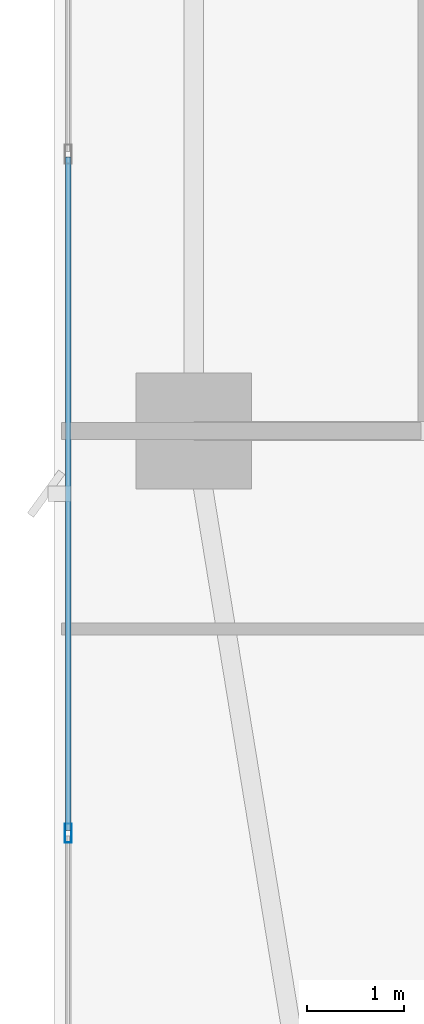
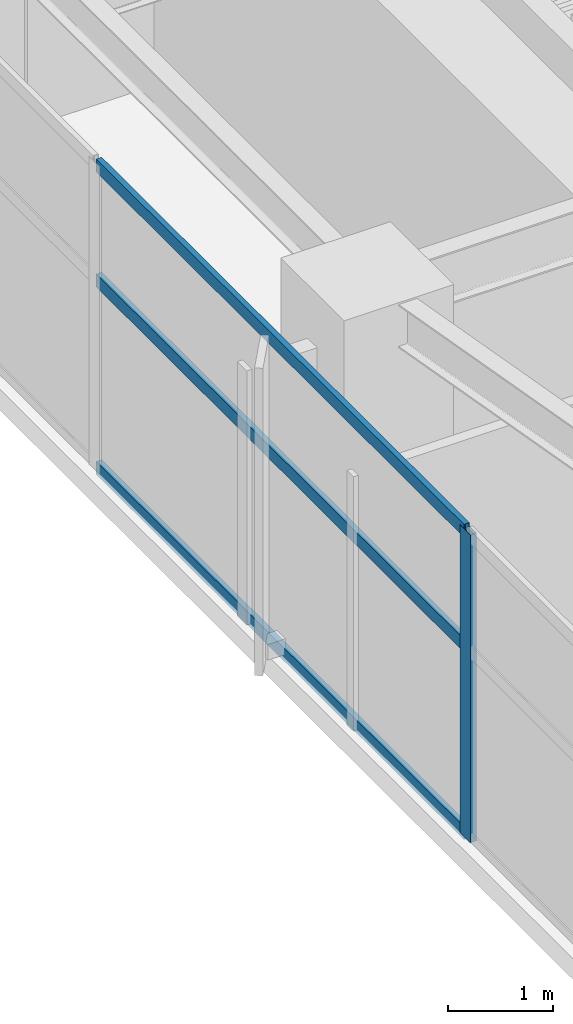
# One storey, part 4 of 28: 4 members, 1 element without a shape of its own.
"""IFC4 building model written with IfcOpenShell, lengths in metres."""

from ifc_helpers import new_model, si_unit, direction, frame, origin, origin_2d, place, context, subcontext, project, spatial, hollow_rectangle, extrude, material, layer, layer_set, material_profile, profile_set, type_object, element, aggregate, save


model = new_model("IFC4")

# Units and contexts
model_context = context("Model", 3, precision=1e-05, world=origin(), true_north=direction((0.0, 1.0)))
body_context = subcontext(model_context, "Body", "Model", "MODEL_VIEW")
ifc_project = project(units=[si_unit("LENGTHUNIT", "METRE"), si_unit("AREAUNIT", "SQUARE_METRE"), si_unit("VOLUMEUNIT", "CUBIC_METRE"), si_unit("PLANEANGLEUNIT", "RADIAN"), si_unit("MASSUNIT", "GRAM", prefix="KILO")], contexts=[model_context])

# Site, building, storey
site_placement = place(None, origin())
site = spatial("IfcSite", under=ifc_project, at=site_placement, CompositionType="ELEMENT")
building_placement = place(site_placement, origin())
building = spatial("IfcBuilding", under=site, at=building_placement, Name="Calvorn Quay Hotel", CompositionType="ELEMENT")
storey_placement = place(building_placement, frame((0.0, 0.0, 159.89990234375)))
storey = spatial("IfcBuildingStorey", under=building, at=storey_placement, Name="L39", CompositionType="ELEMENT", Elevation=159.89990234375)

# Curtain wall, members
ifc_material_1 = material(Name="Pale Anodised Aluminium and Low-E Glass", Category="aluminium")
ifc_layer = layer(ifc_material_1, 0.219970703125)
ifc_layer_set = layer_set([ifc_layer], Name="CW-SYS-Z2")
curtain_wall_type = type_object("IfcCurtainWallType", Name="CW-SYS-Z2", PredefinedType="NOTDEFINED", material=ifc_layer_set)
curtain_wall_placement = place(storey_placement, origin())
curtain_wall = element("IfcCurtainWall", 1, at=curtain_wall_placement, inside=storey, type_object=curtain_wall_type, Name="Tower West Curtain Wall (L39)", PredefinedType="NOTDEFINED")
ifc_material_2 = material(Name="Pale Anodised Aluminium 6063-T6", Category="aluminium")
ifc_material_profile_1 = material_profile(ifc_material_2, hollow_rectangle(XDim=0.070068359375, YDim=0.199951171875, WallThickness=0.00390625, at=origin_2d()), Name="ALU-M200x70x4")
ifc_profile_set_1 = profile_set([ifc_material_profile_1], Name="Pale Anodised Aluminium 6063-T6")
member_type_1 = type_object("IfcMemberType", Name="CW-SYS-Z2-MUL", PredefinedType="MULLION", material=ifc_profile_set_1)
member_1_placement = place(storey_placement, frame((0.14990234375, 12.63330078125, 0.0), z_axis=(0.0, 0.0, 1.0), x_axis=(-1.0, 0.0, 0.0)))
member_1 = element("IfcMember", 2, at=member_1_placement, type_object=member_type_1, Name="CW-L39-W mullion 2", PredefinedType="MULLION", context=body_context, shape_type="SweptSolid", body=[
    extrude(hollow_rectangle(XDim=0.070068359375, YDim=0.199951171875, WallThickness=0.00390625, at=origin_2d()), origin(), (0.0, 0.0, 1.0), 3.56005859375),
])
ifc_material_3 = material(Name="Pale Anodised Aluminium 6063-T6", Category="aluminium")
ifc_material_profile_2 = material_profile(ifc_material_3, hollow_rectangle(XDim=0.06005859375, YDim=0.14990234375, WallThickness=0.00341796875, at=origin_2d()), Name="ALU-T150x60x3.5")
ifc_profile_set_2 = profile_set([ifc_material_profile_2], Name="Pale Anodised Aluminium 6063-T6")
member_type_2 = type_object("IfcMemberType", Name="CW-SYS-Z2-TRN", PredefinedType="USERDEFINED", material=ifc_profile_set_2)
member_2_placement = place(storey_placement, frame((0.14990234375, 12.663330078125, 0.030029296875), z_axis=(0.0, 1.0, 0.0), x_axis=(-1.0, 0.0, 0.0)))
member_2 = element("IfcMember", 3, at=member_2_placement, type_object=member_type_2, Name="CW-L39-W transom 2.1", ObjectType="TRANSOM", PredefinedType="USERDEFINED", context=body_context, shape_type="SweptSolid", body=[
    extrude(hollow_rectangle(XDim=0.06005859375, YDim=0.14990234375, WallThickness=0.00341796875, at=origin_2d()), origin(), (0.0, 0.0, 1.0), 6.973388671875),
])
member_3_placement = place(storey_placement, frame((0.14990234375, 12.663330078125, 2.2001953125), z_axis=(0.0, 1.0, 0.0), x_axis=(-1.0, 0.0, 0.0)))
member_3 = element("IfcMember", 4, at=member_3_placement, type_object=member_type_2, Name="CW-L39-W transom 2.2", ObjectType="TRANSOM", PredefinedType="USERDEFINED", context=body_context, shape_type="SweptSolid", body=[
    extrude(hollow_rectangle(XDim=0.06005859375, YDim=0.14990234375, WallThickness=0.00341796875, at=origin_2d()), origin(), (0.0, 0.0, 1.0), 6.973388671875),
])
member_4_placement = place(storey_placement, frame((0.14990234375, 12.663330078125, 3.530029296875), z_axis=(0.0, 1.0, 0.0), x_axis=(-1.0, 0.0, 0.0)))
member_4 = element("IfcMember", 5, at=member_4_placement, type_object=member_type_2, Name="CW-L39-W transom 2.3", ObjectType="TRANSOM", PredefinedType="USERDEFINED", context=body_context, shape_type="SweptSolid", body=[
    extrude(hollow_rectangle(XDim=0.06005859375, YDim=0.14990234375, WallThickness=0.00341796875, at=origin_2d()), origin(), (0.0, 0.0, 1.0), 6.973388671875),
])
aggregate(curtain_wall, [member_1, member_2, member_3, member_4])

save(model, "model.ifc")
